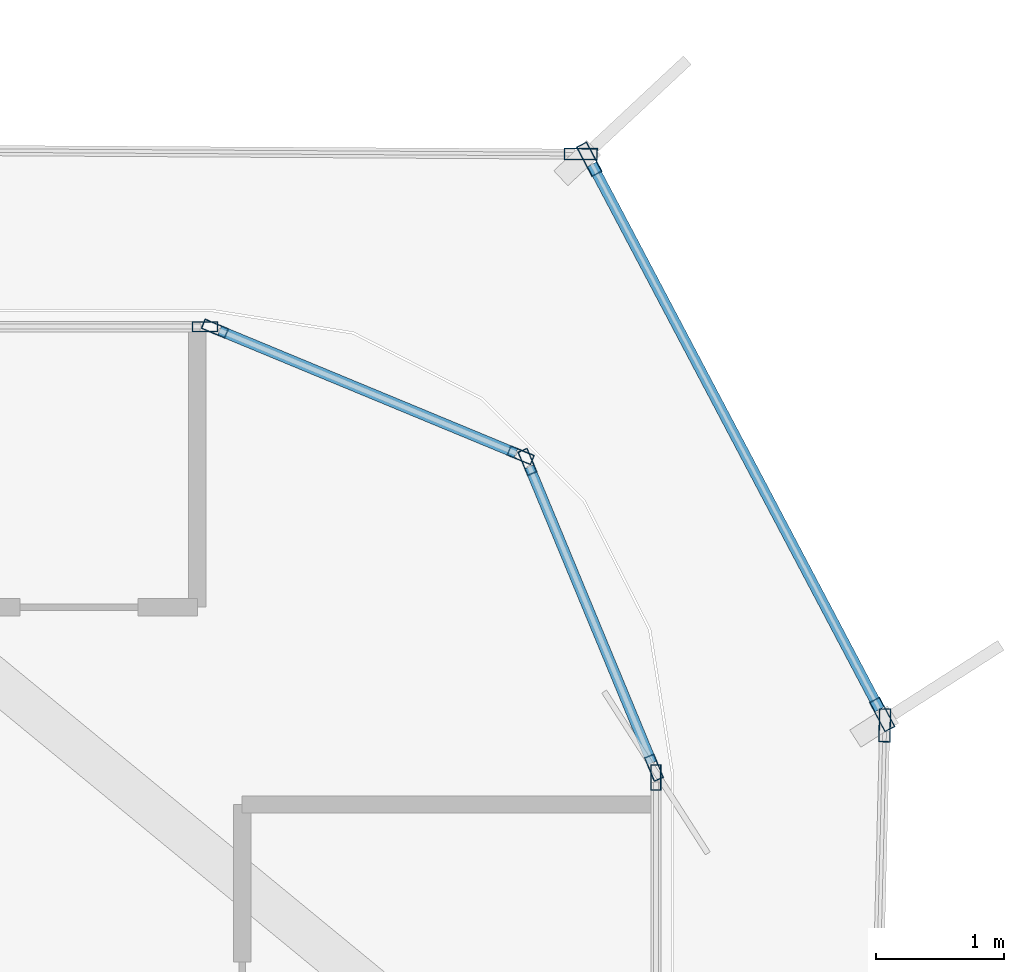
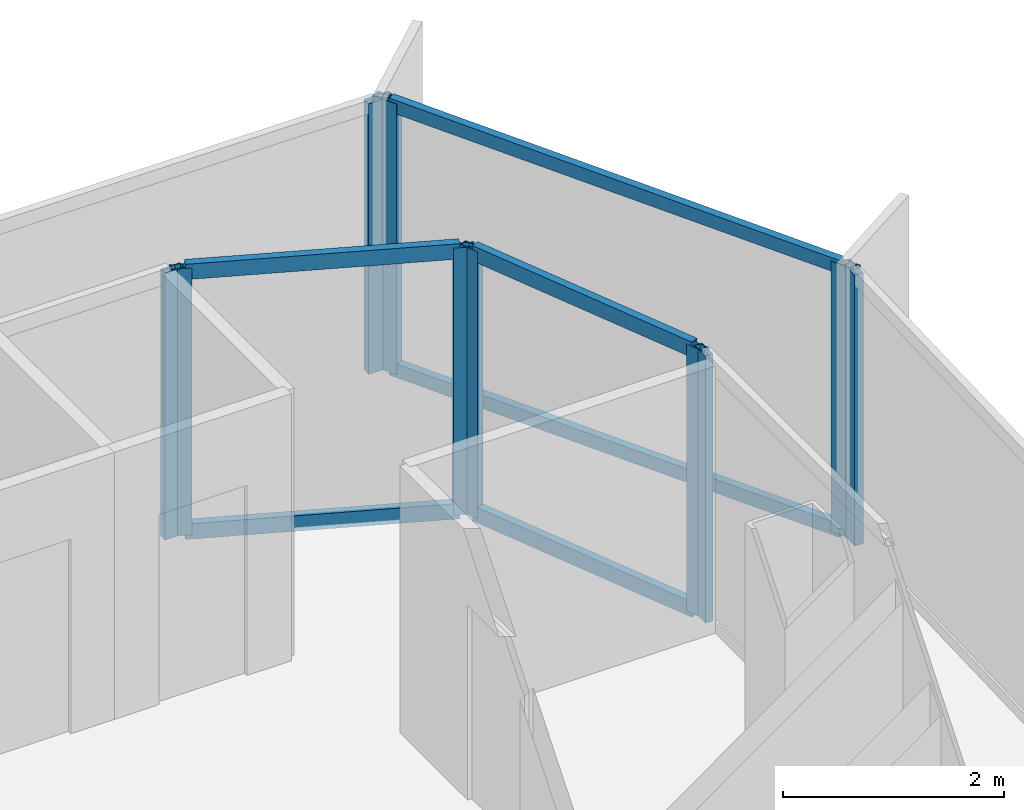
# One storey, part 8 of 15: 16 members, 7 elements without a shape of their own.
"""IFC4 building model written with IfcOpenShell, lengths in metres."""

from ifc_helpers import new_model, si_unit, direction, frame, origin, origin_2d, place, context, subcontext, project, spatial, hollow_rectangle, extrude, source, transform, mapped, material, layer, layer_set, material_profile, profile_set, type_object, element, aggregate, save


model = new_model("IFC4")

# Units and contexts
model_context = context("Model", 3, precision=1e-05, world=origin(), true_north=direction((0.0, 1.0)))
body_context = subcontext(model_context, "Body", "Model", "MODEL_VIEW")
ifc_project = project(units=[si_unit("LENGTHUNIT", "METRE"), si_unit("AREAUNIT", "SQUARE_METRE"), si_unit("VOLUMEUNIT", "CUBIC_METRE"), si_unit("PLANEANGLEUNIT", "RADIAN"), si_unit("MASSUNIT", "GRAM", prefix="KILO")], contexts=[model_context])

# Site, building, storey
site_placement = place(None, origin())
site = spatial("IfcSite", under=ifc_project, at=site_placement, CompositionType="ELEMENT")
building_placement = place(site_placement, origin())
building = spatial("IfcBuilding", under=site, at=building_placement, Name="Kolveth Station Tower", CompositionType="ELEMENT")
storey_placement = place(building_placement, frame((0.0, 0.0, 202.800048828125)))
storey = spatial("IfcBuildingStorey", under=building, at=storey_placement, Name="L57", CompositionType="ELEMENT", Elevation=202.800048828125)

# Curtain wall, member
ifc_material_1 = material(Name="Aluminium 6063-T6 and low-E dark glass", Category="aluminium")
ifc_layer_1 = layer(ifc_material_1, 0.18994140625)
ifc_layer_set_1 = layer_set([ifc_layer_1], Name="Aluminium 6063-T6 and low-E dark glass")
curtain_wall_type_1 = type_object("IfcCurtainWallType", Name="CurtainWall_CW-Z2", PredefinedType="NOTDEFINED", material=ifc_layer_set_1)
curtain_wall_1_placement = place(storey_placement, origin())
curtain_wall_1 = element("IfcCurtainWall", 1, at=curtain_wall_1_placement, inside=storey, type_object=curtain_wall_type_1, Name="L57 Inner Thermal Curtain Wall 3", PredefinedType="NOTDEFINED")
ifc_material_2 = material(Name="Black anodized aluminium 6063-T6", Category="aluminium")
ifc_material_profile_1 = material_profile(ifc_material_2, hollow_rectangle(XDim=0.080078125, YDim=0.199951171875, WallThickness=0.0048828125, at=origin_2d()), Name="ALU-80x200x5")
ifc_profile_set_1 = profile_set([ifc_material_profile_1], Name="Black anodized aluminium 6063-T6")
member_type_1 = type_object("IfcMemberType", Name="Mullion_ML2", PredefinedType="MULLION", material=ifc_profile_set_1)
shared_shape_1 = source(origin(), body_context, "Body", "SweptSolid", [
    extrude(hollow_rectangle(XDim=0.080078125, YDim=0.199951171875, WallThickness=0.0048828125, at=origin_2d()), origin(), (0.0, 0.0, 1.0), 2.949951171875),
])
member_1_placement = place(storey_placement, frame((41.679931640625, 31.659912109375, 0.0), z_axis=(0.0, 0.0, 1.0), x_axis=(-1.0, 0.0, 0.0)))
member_1 = element("IfcMember", 2, at=member_1_placement, type_object=member_type_1, Name="CW-Z2 mullion 2", PredefinedType="MULLION", context=body_context, shape_type="MappedRepresentation", body=[
    mapped(shared_shape_1, transform((0.0, 0.0, 0.0), x_axis=(1.0, 0.0, 0.0), y_axis=(0.0, 1.0, 0.0), z_axis=(0.0, 0.0, 1.0), scale=1.0)),
])
aggregate(curtain_wall_1, [member_1])

# Curtain wall, members
curtain_wall_2_placement = place(storey_placement, origin())
curtain_wall_2 = element("IfcCurtainWall", 3, at=curtain_wall_2_placement, inside=storey, type_object=curtain_wall_type_1, Name="L57 Inner Thermal Curtain Wall 4", PredefinedType="NOTDEFINED")
member_2_placement = place(storey_placement, frame((41.664794921875, 31.737060546875, 0.0), z_axis=(0.0, 0.0, 1.0), x_axis=(-0.923873600544, -0.382697753087, 0.0)))
member_2 = element("IfcMember", 4, at=member_2_placement, type_object=member_type_1, Name="CW-Z2 mullion 1", PredefinedType="MULLION", context=body_context, shape_type="MappedRepresentation", body=[
    mapped(shared_shape_1, transform((0.0, 0.0, 0.0), x_axis=(1.0, 0.0, 0.0), y_axis=(0.0, 1.0, 0.0), z_axis=(0.0, 0.0, 1.0), scale=1.0)),
])
member_3_placement = place(storey_placement, frame((40.676025390625, 34.123779296875, 0.0), z_axis=(0.0, 0.0, 1.0), x_axis=(-0.923873600544, -0.382697753087, 0.0)))
member_3 = element("IfcMember", 5, at=member_3_placement, type_object=member_type_1, Name="CW-Z2 mullion 2", PredefinedType="MULLION", context=body_context, shape_type="MappedRepresentation", body=[
    mapped(shared_shape_1, transform((0.0, 0.0, 0.0), x_axis=(1.0, 0.0, 0.0), y_axis=(0.0, 1.0, 0.0), z_axis=(0.0, 0.0, 1.0), scale=1.0)),
])

curtain_wall_3_placement = place(storey_placement, origin())
curtain_wall_3 = element("IfcCurtainWall", 6, at=curtain_wall_3_placement, inside=storey, type_object=curtain_wall_type_1, Name="L57 Inner Thermal Curtain Wall 5", PredefinedType="NOTDEFINED")
member_4_placement = place(storey_placement, frame((40.623779296875, 34.176025390625, 0.0), z_axis=(0.0, 0.0, 1.0), x_axis=(-0.382697753087, -0.923873600544, 0.0)))
member_4 = element("IfcMember", 7, at=member_4_placement, type_object=member_type_1, Name="CW-Z2 mullion 1", PredefinedType="MULLION", context=body_context, shape_type="MappedRepresentation", body=[
    mapped(shared_shape_1, transform((0.0, 0.0, 0.0), x_axis=(1.0, 0.0, 0.0), y_axis=(0.0, 1.0, 0.0), z_axis=(0.0, 0.0, 1.0), scale=1.0)),
])
member_5_placement = place(storey_placement, frame((38.237060546875, 35.164794921875, 0.0), z_axis=(0.0, 0.0, 1.0), x_axis=(-0.382697753087, -0.923873600544, 0.0)))
member_5 = element("IfcMember", 8, at=member_5_placement, type_object=member_type_1, Name="CW-Z2 mullion 2", PredefinedType="MULLION", context=body_context, shape_type="MappedRepresentation", body=[
    mapped(shared_shape_1, transform((0.0, 0.0, 0.0), x_axis=(1.0, 0.0, 0.0), y_axis=(0.0, 1.0, 0.0), z_axis=(0.0, 0.0, 1.0), scale=1.0)),
])

# Curtain wall, member
curtain_wall_4_placement = place(storey_placement, origin())
curtain_wall_4 = element("IfcCurtainWall", 9, at=curtain_wall_4_placement, inside=storey, type_object=curtain_wall_type_1, Name="L57 Inner Thermal Curtain Wall 6", PredefinedType="NOTDEFINED")
member_6_placement = place(storey_placement, frame((38.159912109375, 35.179931640625, 0.0), z_axis=(0.0, 0.0, 1.0), x_axis=(0.0, -1.0, 0.0)))
member_6 = element("IfcMember", 10, at=member_6_placement, type_object=member_type_1, Name="CW-Z2 mullion 1", PredefinedType="MULLION", context=body_context, shape_type="MappedRepresentation", body=[
    mapped(shared_shape_1, transform((0.0, 0.0, 0.0), x_axis=(1.0, 0.0, 0.0), y_axis=(0.0, 1.0, 0.0), z_axis=(0.0, 0.0, 1.0), scale=1.0)),
])
aggregate(curtain_wall_4, [member_6])

ifc_material_3 = material(Name="Black anodized aluminium 6063-T6 and dark solar glass", Category="aluminium")
ifc_layer_2 = layer(ifc_material_3, 0.159912109375)
ifc_layer_set_2 = layer_set([ifc_layer_2], Name="Black anodized aluminium 6063-T6 and dark solar glass")
curtain_wall_type_2 = type_object("IfcCurtainWallType", Name="OUTER SKIN CW-OS", PredefinedType="NOTDEFINED", material=ifc_layer_set_2)
curtain_wall_5_placement = place(storey_placement, origin())
curtain_wall_5 = element("IfcCurtainWall", 11, at=curtain_wall_5_placement, inside=storey, type_object=curtain_wall_type_2, Name="L57 Outer Ventilated Skin Curtain Wall 2", PredefinedType="NOTDEFINED")
ifc_material_profile_2 = material_profile(ifc_material_2, hollow_rectangle(XDim=0.090087890625, YDim=0.260009765625, WallThickness=0.0048828125, at=origin_2d()), Name="ALU-90x260x5")
ifc_profile_set_2 = profile_set([ifc_material_profile_2], Name="Black anodized aluminium 6063-T6")
member_type_2 = type_object("IfcMemberType", Name="FIN MULLION ML-OS", PredefinedType="MULLION", material=ifc_profile_set_2)
shared_shape_2 = source(origin(), body_context, "Body", "SweptSolid", [
    extrude(hollow_rectangle(XDim=0.090087890625, YDim=0.260009765625, WallThickness=0.0048828125, at=origin_2d()), origin(), (0.0, 0.0, 1.0), 2.989990234375),
])
member_7_placement = place(storey_placement, frame((43.4658203125, 32.0673828125, 0.0), z_axis=(0.0, 0.0, 1.0), x_axis=(-0.999690544106, 0.024876013057, 0.0)))
member_7 = element("IfcMember", 12, at=member_7_placement, type_object=member_type_2, Name="CW-OS mullion 2", PredefinedType="MULLION", context=body_context, shape_type="MappedRepresentation", body=[
    mapped(shared_shape_2, transform((0.0, 0.0, 0.0), x_axis=(1.0, 0.0, 0.0), y_axis=(0.0, 1.0, 0.0), z_axis=(0.0, 0.0, 1.0), scale=1.0)),
])
aggregate(curtain_wall_5, [member_7])

# Curtain wall, members
curtain_wall_6_placement = place(storey_placement, origin())
curtain_wall_6 = element("IfcCurtainWall", 13, at=curtain_wall_6_placement, inside=storey, type_object=curtain_wall_type_2, Name="L57 Outer Ventilated Skin Curtain Wall 3", PredefinedType="NOTDEFINED")
member_8_placement = place(storey_placement, frame((43.44580078125, 32.152099609375, 0.0), z_axis=(0.0, 0.0, 1.0), x_axis=(-0.884459647017, -0.466616687228, 0.0)))
member_8 = element("IfcMember", 14, at=member_8_placement, type_object=member_type_2, Name="CW-OS mullion 1", PredefinedType="MULLION", context=body_context, shape_type="MappedRepresentation", body=[
    mapped(shared_shape_2, transform((0.0, 0.0, 0.0), x_axis=(1.0, 0.0, 0.0), y_axis=(0.0, 1.0, 0.0), z_axis=(0.0, 0.0, 1.0), scale=1.0)),
])
member_9_placement = place(storey_placement, frame((41.1591796875, 36.486328125, 0.0), z_axis=(0.0, 0.0, 1.0), x_axis=(-0.884459647017, -0.466616687228, 0.0)))
member_9 = element("IfcMember", 15, at=member_9_placement, type_object=member_type_2, Name="CW-OS mullion 2", PredefinedType="MULLION", context=body_context, shape_type="MappedRepresentation", body=[
    mapped(shared_shape_2, transform((0.0, 0.0, 0.0), x_axis=(1.0, 0.0, 0.0), y_axis=(0.0, 1.0, 0.0), z_axis=(0.0, 0.0, 1.0), scale=1.0)),
])

# Curtain wall, member
curtain_wall_7_placement = place(storey_placement, origin())
curtain_wall_7 = element("IfcCurtainWall", 16, at=curtain_wall_7_placement, inside=storey, type_object=curtain_wall_type_2, Name="L57 Outer Ventilated Skin Curtain Wall 4", PredefinedType="NOTDEFINED")
member_10_placement = place(storey_placement, frame((41.09326171875, 36.5263671875, 0.0), z_axis=(0.0, 0.0, 1.0), x_axis=(-0.006040492113, -0.999981756061, 0.0)))
member_10 = element("IfcMember", 17, at=member_10_placement, type_object=member_type_2, Name="CW-OS mullion 1", PredefinedType="MULLION", context=body_context, shape_type="MappedRepresentation", body=[
    mapped(shared_shape_2, transform((0.0, 0.0, 0.0), x_axis=(1.0, 0.0, 0.0), y_axis=(0.0, 1.0, 0.0), z_axis=(0.0, 0.0, 1.0), scale=1.0)),
])
aggregate(curtain_wall_7, [member_10])

# Member
ifc_material_profile_3 = material_profile(ifc_material_2, hollow_rectangle(XDim=0.080078125, YDim=0.169921875, WallThickness=0.0048828125, at=origin_2d()), Name="ALU-80x170x5")
ifc_profile_set_3 = profile_set([ifc_material_profile_3], Name="Black anodized aluminium 6063-T6")
member_type_3 = type_object("IfcMemberType", Name="Transom_TR2", PredefinedType="USERDEFINED", material=ifc_profile_set_3)
shared_shape_3 = source(origin(), body_context, "Body", "SweptSolid", [
    extrude(hollow_rectangle(XDim=0.080078125, YDim=0.169921875, WallThickness=0.0048828125, at=origin_2d()), origin(), (0.0, 0.0, 1.0), 2.50341796875),
])
member_11_placement = place(storey_placement, frame((41.6494140625, 31.77392578125, 0.0400390625), z_axis=(-0.382696328882, 0.923874190494, 0.0), x_axis=(-0.923874190494, -0.382696328882, 0.0)))
member_11 = element("IfcMember", 18, at=member_11_placement, type_object=member_type_3, Name="CW-Z2 transom 1.1", ObjectType="TRANSOM", PredefinedType="USERDEFINED", context=body_context, shape_type="MappedRepresentation", body=[
    mapped(shared_shape_3, transform((0.0, 0.0, 0.0), x_axis=(1.0, 0.0, 0.0), y_axis=(0.0, 1.0, 0.0), z_axis=(0.0, 0.0, 1.0), scale=1.0)),
])

member_12_placement = place(storey_placement, frame((41.6494140625, 31.77392578125, 2.909912109375), z_axis=(-0.382696328882, 0.923874190494, 0.0), x_axis=(-0.923874190494, -0.382696328882, 0.0)))
member_12 = element("IfcMember", 19, at=member_12_placement, type_object=member_type_3, Name="CW-Z2 transom 1.2", ObjectType="TRANSOM", PredefinedType="USERDEFINED", context=body_context, shape_type="MappedRepresentation", body=[
    mapped(shared_shape_3, transform((0.0, 0.0, 0.0), x_axis=(1.0, 0.0, 0.0), y_axis=(0.0, 1.0, 0.0), z_axis=(0.0, 0.0, 1.0), scale=1.0)),
])

aggregate(curtain_wall_2, [member_2, member_3, member_11, member_12])

member_13_placement = place(storey_placement, frame((40.586669921875, 34.19140625, 0.0400390625), z_axis=(-0.923874190494, 0.382696328882, 0.0), x_axis=(-0.382696328882, -0.923874190494, 0.0)))
member_13 = element("IfcMember", 20, at=member_13_placement, type_object=member_type_3, Name="CW-Z2 transom 1.1", ObjectType="TRANSOM", PredefinedType="USERDEFINED", context=body_context, shape_type="MappedRepresentation", body=[
    mapped(shared_shape_3, transform((0.0, 0.0, 0.0), x_axis=(1.0, 0.0, 0.0), y_axis=(0.0, 1.0, 0.0), z_axis=(0.0, 0.0, 1.0), scale=1.0)),
])

member_14_placement = place(storey_placement, frame((40.586669921875, 34.19140625, 2.909912109375), z_axis=(-0.923874190494, 0.382696328882, 0.0), x_axis=(-0.382696328882, -0.923874190494, 0.0)))
member_14 = element("IfcMember", 21, at=member_14_placement, type_object=member_type_3, Name="CW-Z2 transom 1.2", ObjectType="TRANSOM", PredefinedType="USERDEFINED", context=body_context, shape_type="MappedRepresentation", body=[
    mapped(shared_shape_3, transform((0.0, 0.0, 0.0), x_axis=(1.0, 0.0, 0.0), y_axis=(0.0, 1.0, 0.0), z_axis=(0.0, 0.0, 1.0), scale=1.0)),
])

aggregate(curtain_wall_3, [member_4, member_5, member_13, member_14])

ifc_material_profile_4 = material_profile(ifc_material_2, hollow_rectangle(XDim=0.080078125, YDim=0.14990234375, WallThickness=0.0048828125, at=origin_2d()), Name="ALU-80x150x5")
ifc_profile_set_4 = profile_set([ifc_material_profile_4], Name="Black anodized aluminium 6063-T6")
member_type_4 = type_object("IfcMemberType", Name="Transom_TR-OS", PredefinedType="USERDEFINED", material=ifc_profile_set_4)
shared_shape_4 = source(origin(), body_context, "Body", "SweptSolid", [
    extrude(hollow_rectangle(XDim=0.080078125, YDim=0.14990234375, WallThickness=0.0048828125, at=origin_2d()), origin(), (0.0, 0.0, 1.0), 4.810546875),
])
member_15_placement = place(storey_placement, frame((43.4248046875, 32.19189453125, 0.0400390625), z_axis=(-0.466616372397, 0.884459813113, 0.0), x_axis=(-0.884459813113, -0.466616372397, 0.0)))
member_15 = element("IfcMember", 22, at=member_15_placement, type_object=member_type_4, Name="CW-OS transom 1.1", ObjectType="TRANSOM", PredefinedType="USERDEFINED", context=body_context, shape_type="MappedRepresentation", body=[
    mapped(shared_shape_4, transform((0.0, 0.0, 0.0), x_axis=(1.0, 0.0, 0.0), y_axis=(0.0, 1.0, 0.0), z_axis=(0.0, 0.0, 1.0), scale=1.0)),
])

member_16_placement = place(storey_placement, frame((43.4248046875, 32.19189453125, 2.949951171875), z_axis=(-0.466616372397, 0.884459813113, 0.0), x_axis=(-0.884459813113, -0.466616372397, 0.0)))
member_16 = element("IfcMember", 23, at=member_16_placement, type_object=member_type_4, Name="CW-OS transom 1.2", ObjectType="TRANSOM", PredefinedType="USERDEFINED", context=body_context, shape_type="MappedRepresentation", body=[
    mapped(shared_shape_4, transform((0.0, 0.0, 0.0), x_axis=(1.0, 0.0, 0.0), y_axis=(0.0, 1.0, 0.0), z_axis=(0.0, 0.0, 1.0), scale=1.0)),
])

aggregate(curtain_wall_6, [member_8, member_9, member_15, member_16])

save(model, "model.ifc")
